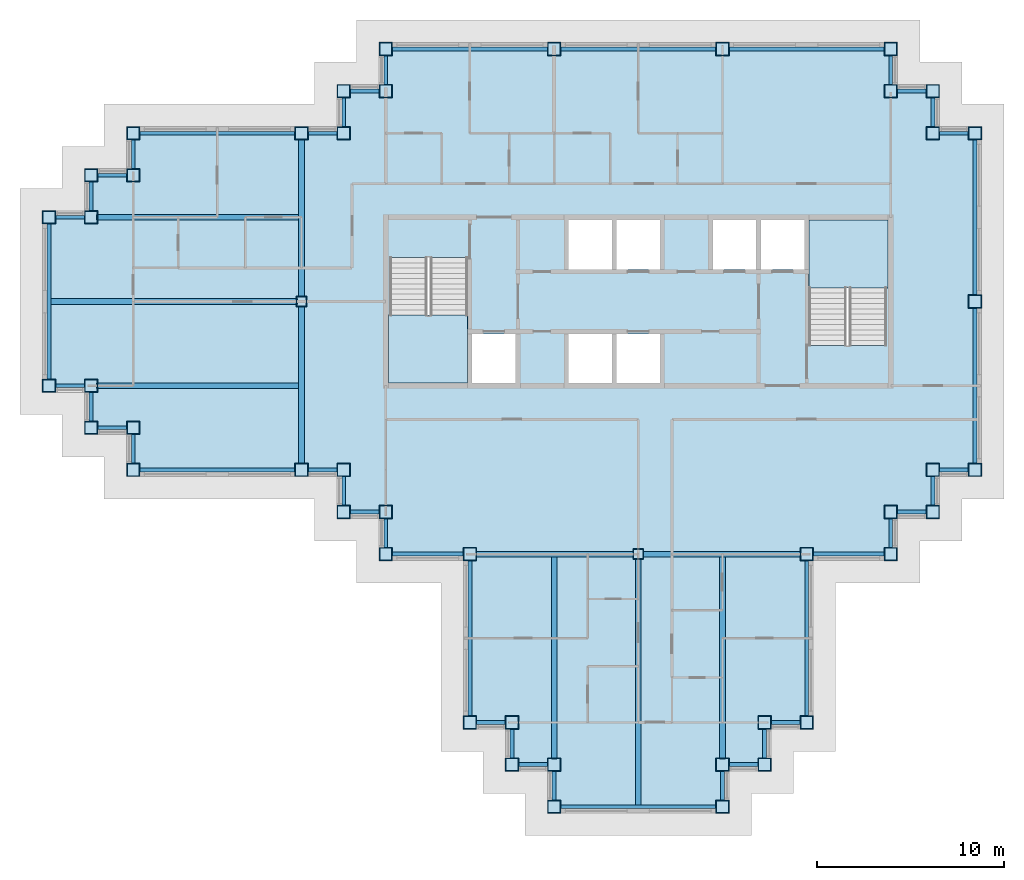
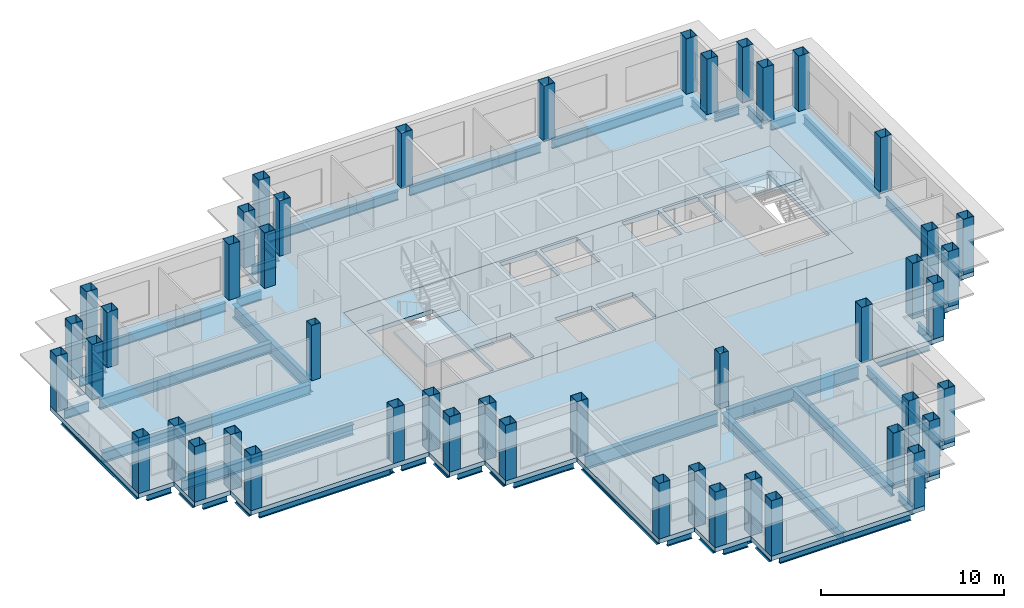
# One storey, part 1 of 11: 55 beams, 47 columns, 4 slabs, 2 elements without a shape of their own.
"""IFC4 building model written with IfcOpenShell, lengths in metres."""

from ifc_helpers import new_model, si_unit, direction, frame, origin, origin_2d, place, context, subcontext, project, spatial, polyline, hollow_rectangle, i_section, outline, extrude, material, layer, layer_set, material_profile, profile_set, type_object, element, aggregate, save


model = new_model("IFC4")

# Units and contexts
model_context = context("Model", 3, precision=1e-05, world=origin(), true_north=direction((0.0, 1.0)))
body_context = subcontext(model_context, "Body", "Model", "MODEL_VIEW")
ifc_project = project(units=[si_unit("LENGTHUNIT", "METRE"), si_unit("AREAUNIT", "SQUARE_METRE"), si_unit("VOLUMEUNIT", "CUBIC_METRE"), si_unit("PLANEANGLEUNIT", "RADIAN"), si_unit("MASSUNIT", "GRAM", prefix="KILO")], contexts=[model_context])

# Site, building, storey
site_placement = place(None, origin())
site = spatial("IfcSite", under=ifc_project, at=site_placement, CompositionType="ELEMENT")
building_placement = place(site_placement, origin())
building = spatial("IfcBuilding", under=site, at=building_placement, Name="Caravel Reach Hotel and Residences", CompositionType="ELEMENT")
storey_placement = place(building_placement, frame((0.0, 0.0, 210.89990234375)))
storey = spatial("IfcBuildingStorey", under=building, at=storey_placement, Name="L53", CompositionType="ELEMENT", Elevation=210.89990234375)

# Columns
ifc_material_1 = material(Name="Concrete-filled steel tube Q390B with Concrete C60 infill", Category="concrete")
ifc_material_profile_1 = material_profile(ifc_material_1, hollow_rectangle(XDim=0.550048828125, YDim=0.550048828125, WallThickness=0.01806640625, at=origin_2d()), Name="RHS 550x550x18")
ifc_profile_set_1 = profile_set([ifc_material_profile_1], Name="Concrete-filled steel tube Q390B with Concrete C60 infill")
column_type_1 = type_object("IfcColumnType", Name="CFT 550x550 Q390B C60", PredefinedType="COLUMN", material=ifc_profile_set_1)
for number, where, z_axis, x_axis, name in (
    (1, (31.5, 13.5, 0.0), (0.0, 0.0, 1.0), (1.0, 0.0, 0.0), "C18 column"),
    (2, (13.5, 27.0, 0.0), (0.0, 0.0, 1.0), (1.0, 0.0, 0.0), "C18 column"),
):
    element("IfcColumn", number, at=place(storey_placement, frame(where, z_axis=z_axis, x_axis=x_axis)), inside=storey, type_object=column_type_1, Name=name, PredefinedType="COLUMN", context=body_context, shape_type="SweptSolid", body=[
        extrude(hollow_rectangle(XDim=0.550048828125, YDim=0.550048828125, WallThickness=0.01806640625, at=origin_2d()), origin(), (0.0, 0.0, 1.0), 3.7001953125),
    ])
ifc_material_2 = material(Name="Concrete-filled steel tube Q390B with Concrete C60 infill", Category="concrete")
ifc_material_profile_2 = material_profile(ifc_material_2, hollow_rectangle(XDim=0.699951171875, YDim=0.699951171875, WallThickness=0.02197265625, at=origin_2d()), Name="RHS 700x700x22")
ifc_profile_set_2 = profile_set([ifc_material_profile_2], Name="Concrete-filled steel tube Q390B with Concrete C60 infill")
column_type_2 = type_object("IfcColumnType", Name="CFT 700x700 Q390B C60", PredefinedType="COLUMN", material=ifc_profile_set_2)
for number, where, z_axis, x_axis, name in (
    (3, (40.5, 13.5, 0.0), (0.0, 0.0, 1.0), (1.0, 0.0, 0.0), "C7 column"),
    (4, (45.0, 13.5, 0.0), (0.0, 0.0, 1.0), (1.0, 0.0, 0.0), "C7 column"),
    (5, (45.0, 15.75, 0.0), (0.0, 0.0, 1.0), (1.0, 0.0, 0.0), "C7 column"),
    (6, (47.25, 15.75, 0.0), (0.0, 0.0, 1.0), (1.0, 0.0, 0.0), "C7 column"),
    (7, (47.25, 18.0, 0.0), (0.0, 0.0, 1.0), (1.0, 0.0, 0.0), "C7 column"),
    (8, (49.5, 18.0, 0.0), (0.0, 0.0, 1.0), (1.0, 0.0, 0.0), "C7 column"),
    (9, (49.5, 27.0, 0.0), (0.0, 0.0, 1.0), (1.0, 0.0, 0.0), "C7 column"),
    (10, (49.5, 36.0, 0.0), (0.0, 0.0, 1.0), (1.0, 0.0, 0.0), "C7 column"),
    (11, (47.25, 36.0, 0.0), (0.0, 0.0, 1.0), (1.0, 0.0, 0.0), "C7 column"),
    (12, (47.25, 38.25, 0.0), (0.0, 0.0, 1.0), (1.0, 0.0, 0.0), "C7 column"),
    (13, (45.0, 38.25, 0.0), (0.0, 0.0, 1.0), (1.0, 0.0, 0.0), "C7 column"),
    (14, (45.0, 40.5, 0.0), (0.0, 0.0, 1.0), (1.0, 0.0, 0.0), "C7 column"),
    (15, (36.0, 40.5, 0.0), (0.0, 0.0, 1.0), (1.0, 0.0, 0.0), "C7 column"),
    (16, (27.0, 40.5, 0.0), (0.0, 0.0, 1.0), (1.0, 0.0, 0.0), "C7 column"),
    (17, (18.0, 40.5, 0.0), (0.0, 0.0, 1.0), (1.0, 0.0, 0.0), "C7 column"),
    (18, (18.0, 38.25, 0.0), (0.0, 0.0, 1.0), (1.0, 0.0, 0.0), "C7 column"),
    (19, (15.75, 38.25, 0.0), (0.0, 0.0, 1.0), (1.0, 0.0, 0.0), "C7 column"),
    (20, (15.75, 36.0, 0.0), (0.0, 0.0, 1.0), (1.0, 0.0, 0.0), "C7 column"),
    (21, (13.5, 36.0, 0.0), (0.0, 0.0, 1.0), (1.0, 0.0, 0.0), "C7 column"),
    (22, (4.5, 36.0, 0.0), (0.0, 0.0, 1.0), (1.0, 0.0, 0.0), "C7 column"),
    (23, (4.5, 33.75, 0.0), (0.0, 0.0, 1.0), (1.0, 0.0, 0.0), "C7 column"),
    (24, (2.25, 33.75, 0.0), (0.0, 0.0, 1.0), (1.0, 0.0, 0.0), "C7 column"),
    (25, (2.25, 31.5, 0.0), (0.0, 0.0, 1.0), (1.0, 0.0, 0.0), "C7 column"),
    (26, (0.0, 31.5, 0.0), (0.0, 0.0, 1.0), (1.0, 0.0, 0.0), "C7 column"),
    (27, (0.0, 22.5, 0.0), (0.0, 0.0, 1.0), (1.0, 0.0, 0.0), "C7 column"),
    (28, (2.25, 22.5, 0.0), (0.0, 0.0, 1.0), (1.0, 0.0, 0.0), "C7 column"),
    (29, (2.25, 20.25, 0.0), (0.0, 0.0, 1.0), (1.0, 0.0, 0.0), "C7 column"),
    (30, (4.5, 20.25, 0.0), (0.0, 0.0, 1.0), (1.0, 0.0, 0.0), "C7 column"),
    (31, (4.5, 18.0, 0.0), (0.0, 0.0, 1.0), (1.0, 0.0, 0.0), "C7 column"),
    (32, (13.5, 18.0, 0.0), (0.0, 0.0, 1.0), (1.0, 0.0, 0.0), "C7 column"),
    (33, (15.75, 18.0, 0.0), (0.0, 0.0, 1.0), (1.0, 0.0, 0.0), "C7 column"),
    (34, (15.75, 15.75, 0.0), (0.0, 0.0, 1.0), (1.0, 0.0, 0.0), "C7 column"),
    (35, (18.0, 15.75, 0.0), (0.0, 0.0, 1.0), (1.0, 0.0, 0.0), "C7 column"),
    (36, (18.0, 13.5, 0.0), (0.0, 0.0, 1.0), (1.0, 0.0, 0.0), "C7 column"),
    (37, (22.5, 13.5, 0.0), (0.0, 0.0, 1.0), (1.0, 0.0, 0.0), "C7 column"),
    (38, (22.5, 4.5, 0.0), (0.0, 0.0, 1.0), (1.0, 0.0, 0.0), "C7 column"),
    (39, (24.75, 4.5, 0.0), (0.0, 0.0, 1.0), (1.0, 0.0, 0.0), "C7 column"),
    (40, (24.75, 2.25, 0.0), (0.0, 0.0, 1.0), (1.0, 0.0, 0.0), "C7 column"),
    (41, (27.0, 2.25, 0.0), (0.0, 0.0, 1.0), (1.0, 0.0, 0.0), "C7 column"),
    (42, (27.0, 0.0, 0.0), (0.0, 0.0, 1.0), (1.0, 0.0, 0.0), "C7 column"),
    (43, (36.0, 0.0, 0.0), (0.0, 0.0, 1.0), (1.0, 0.0, 0.0), "C7 column"),
    (44, (36.0, 2.25, 0.0), (0.0, 0.0, 1.0), (1.0, 0.0, 0.0), "C7 column"),
    (45, (38.25, 2.25, 0.0), (0.0, 0.0, 1.0), (1.0, 0.0, 0.0), "C7 column"),
    (46, (38.25, 4.5, 0.0), (0.0, 0.0, 1.0), (1.0, 0.0, 0.0), "C7 column"),
    (47, (40.5, 4.5, 0.0), (0.0, 0.0, 1.0), (1.0, 0.0, 0.0), "C7 column"),
):
    element("IfcColumn", number, at=place(storey_placement, frame(where, z_axis=z_axis, x_axis=x_axis)), inside=storey, type_object=column_type_2, Name=name, PredefinedType="COLUMN", context=body_context, shape_type="SweptSolid", body=[
        extrude(hollow_rectangle(XDim=0.699951171875, YDim=0.699951171875, WallThickness=0.02197265625, at=origin_2d()), origin(), (0.0, 0.0, 1.0), 3.7001953125),
    ])

# Beams
ifc_material_3 = material(Name="Structural steel Q355B", Category="steel")
ifc_material_profile_3 = material_profile(ifc_material_3, i_section(OverallWidth=0.300048828125, OverallDepth=0.699951171875, WebThickness=0.012939453125, FlangeThickness=0.02392578125, FilletRadius=0.01806640625, at=origin_2d()), Name="HN 700x300x13x24")
ifc_profile_set_3 = profile_set([ifc_material_profile_3], Name="Structural steel Q355B")
beam_type_1 = type_object("IfcBeamType", Name="Beam HN 700x300x13x24", PredefinedType="BEAM", material=ifc_profile_set_3)
beam_1_placement = place(storey_placement, frame((27.0, 13.39990234375, -0.64990234375), z_axis=(0.0, -1.0, 0.0), x_axis=(1.0, 0.0, 0.0)))
element("IfcBeam", 48, at=beam_1_placement, inside=storey, type_object=beam_type_1, Name="B2 HN 700x300x13x24", PredefinedType="BEAM", context=body_context, shape_type="SweptSolid", body=[
    extrude(i_section(OverallWidth=0.300048828125, OverallDepth=0.699951171875, WebThickness=0.012939453125, FlangeThickness=0.02392578125, FilletRadius=0.01806640625, at=origin_2d()), origin(), (0.0, 0.0, 1.0), 10.849853515625),
])
beam_2_placement = place(storey_placement, frame((31.5, 13.27490234375, -0.64990234375), z_axis=(0.0, -1.0, 0.0), x_axis=(1.0, 0.0, 0.0)))
element("IfcBeam", 49, at=beam_2_placement, inside=storey, type_object=beam_type_1, Name="B2 HN 700x300x13x24", PredefinedType="BEAM", context=body_context, shape_type="SweptSolid", body=[
    extrude(i_section(OverallWidth=0.300048828125, OverallDepth=0.699951171875, WebThickness=0.012939453125, FlangeThickness=0.02392578125, FilletRadius=0.01806640625, at=origin_2d()), origin(), (0.0, 0.0, 1.0), 13.1748046875),
])
for number, where, z_axis, x_axis, name in (
    (50, (36.0, 13.39990234375, -0.64990234375), (0.0, -1.0, 0.0), (1.0, 0.0, 0.0), "B2 HN 700x300x13x24"),
    (51, (13.39990234375, 22.5, -0.64990234375), (-1.0, 0.0, 0.0), (0.0, -1.0, 0.0), "B2 HN 700x300x13x24"),
):
    element("IfcBeam", number, at=place(storey_placement, frame(where, z_axis=z_axis, x_axis=x_axis)), inside=storey, type_object=beam_type_1, Name=name, PredefinedType="BEAM", context=body_context, shape_type="SweptSolid", body=[
        extrude(i_section(OverallWidth=0.300048828125, OverallDepth=0.699951171875, WebThickness=0.012939453125, FlangeThickness=0.02392578125, FilletRadius=0.01806640625, at=origin_2d()), origin(), (0.0, 0.0, 1.0), 10.849853515625),
    ])
beam_3_placement = place(storey_placement, frame((13.27490234375, 27.0, -0.64990234375), z_axis=(-1.0, 0.0, 0.0), x_axis=(0.0, -1.0, 0.0)))
element("IfcBeam", 52, at=beam_3_placement, inside=storey, type_object=beam_type_1, Name="B2 HN 700x300x13x24", PredefinedType="BEAM", context=body_context, shape_type="SweptSolid", body=[
    extrude(i_section(OverallWidth=0.300048828125, OverallDepth=0.699951171875, WebThickness=0.012939453125, FlangeThickness=0.02392578125, FilletRadius=0.01806640625, at=origin_2d()), origin(), (0.0, 0.0, 1.0), 13.1748046875),
])
beam_4_placement = place(storey_placement, frame((13.39990234375, 31.5, -0.64990234375), z_axis=(-1.0, 0.0, 0.0), x_axis=(0.0, -1.0, 0.0)))
element("IfcBeam", 53, at=beam_4_placement, inside=storey, type_object=beam_type_1, Name="B2 HN 700x300x13x24", PredefinedType="BEAM", context=body_context, shape_type="SweptSolid", body=[
    extrude(i_section(OverallWidth=0.300048828125, OverallDepth=0.699951171875, WebThickness=0.012939453125, FlangeThickness=0.02392578125, FilletRadius=0.01806640625, at=origin_2d()), origin(), (0.0, 0.0, 1.0), 10.849853515625),
])
ifc_material_4 = material(Name="Structural steel Q355B", Category="steel")
ifc_material_profile_4 = material_profile(ifc_material_4, i_section(OverallWidth=0.300048828125, OverallDepth=0.89990234375, WebThickness=0.01611328125, FlangeThickness=0.028076171875, FilletRadius=0.01806640625, at=origin_2d()), Name="HN 900x300x16x28")
ifc_profile_set_4 = profile_set([ifc_material_profile_4], Name="Structural steel Q355B")
beam_type_2 = type_object("IfcBeamType", Name="Beam HN 900x300x16x28", PredefinedType="BEAM", material=ifc_profile_set_4)
for number, where, z_axis, x_axis, name in (
    (54, (22.85009765625, 13.5, -0.75), (1.0, 0.0, 0.0), (0.0, 1.0, 0.0), "B3 HN 900x300x16x28"),
    (55, (31.77490234375, 13.5, -0.75), (1.0, 0.0, 0.0), (0.0, 1.0, 0.0), "B3 HN 900x300x16x28"),
    (56, (13.5, 18.35009765625, -0.75), (0.0, 1.0, 0.0), (-1.0, 0.0, 0.0), "B3 HN 900x300x16x28"),
    (57, (13.5, 27.27490234375, -0.75), (0.0, 1.0, 0.0), (-1.0, 0.0, 0.0), "B3 HN 900x300x16x28"),
):
    element("IfcBeam", number, at=place(storey_placement, frame(where, z_axis=z_axis, x_axis=x_axis)), inside=storey, type_object=beam_type_2, Name=name, PredefinedType="BEAM", context=body_context, shape_type="SweptSolid", body=[
        extrude(i_section(OverallWidth=0.300048828125, OverallDepth=0.89990234375, WebThickness=0.01611328125, FlangeThickness=0.028076171875, FilletRadius=0.01806640625, at=origin_2d()), origin(), (0.0, 0.0, 1.0), 8.375),
    ])
ifc_material_5 = material(Name="Structural steel Q355B", Category="steel")
ifc_material_profile_5 = material_profile(ifc_material_5, i_section(OverallWidth=0.199951171875, OverallDepth=0.60009765625, WebThickness=0.010986328125, FlangeThickness=0.01708984375, FilletRadius=0.012939453125, at=origin_2d()), Name="HN 600x200x11x17")
ifc_profile_set_5 = profile_set([ifc_material_profile_5], Name="Structural steel Q355B")
beam_type_3 = type_object("IfcBeamType", Name="Spandrel beam HN 600x200x11x17", PredefinedType="SPANDREL", material=ifc_profile_set_5)
beam_5_placement = place(storey_placement, frame((40.85009765625, 13.5, -0.599853515625), z_axis=(1.0, 0.0, 0.0), x_axis=(0.0, 1.0, 0.0)))
element("IfcBeam", 58, at=beam_5_placement, inside=storey, type_object=beam_type_3, Name="SP1 HN 600x200x11x17", PredefinedType="SPANDREL", context=body_context, shape_type="SweptSolid", body=[
    extrude(i_section(OverallWidth=0.199951171875, OverallDepth=0.60009765625, WebThickness=0.010986328125, FlangeThickness=0.01708984375, FilletRadius=0.012939453125, at=origin_2d()), origin(), (0.0, 0.0, 1.0), 3.7998046875),
])
for number, where, z_axis, x_axis, name in (
    (59, (45.0, 13.85009765625, -0.599853515625), (0.0, 1.0, 0.0), (-1.0, 0.0, 0.0), "SP1 HN 600x200x11x17"),
    (60, (45.35009765625, 15.75, -0.599853515625), (1.0, 0.0, 0.0), (0.0, 1.0, 0.0), "SP1 HN 600x200x11x17"),
    (61, (47.25, 16.10009765625, -0.599853515625), (0.0, 1.0, 0.0), (-1.0, 0.0, 0.0), "SP1 HN 600x200x11x17"),
    (62, (47.60009765625, 18.0, -0.599853515625), (1.0, 0.0, 0.0), (0.0, 1.0, 0.0), "SP1 HN 600x200x11x17"),
):
    element("IfcBeam", number, at=place(storey_placement, frame(where, z_axis=z_axis, x_axis=x_axis)), inside=storey, type_object=beam_type_3, Name=name, PredefinedType="SPANDREL", context=body_context, shape_type="SweptSolid", body=[
        extrude(i_section(OverallWidth=0.199951171875, OverallDepth=0.60009765625, WebThickness=0.010986328125, FlangeThickness=0.01708984375, FilletRadius=0.012939453125, at=origin_2d()), origin(), (0.0, 0.0, 1.0), 1.5498046875),
    ])
for number, where, z_axis, x_axis, name in (
    (63, (49.5, 18.35009765625, -0.599853515625), (0.0, 1.0, 0.0), (-1.0, 0.0, 0.0), "SP1 HN 600x200x11x17"),
    (64, (49.5, 27.35009765625, -0.599853515625), (0.0, 1.0, 0.0), (-1.0, 0.0, 0.0), "SP1 HN 600x200x11x17"),
):
    element("IfcBeam", number, at=place(storey_placement, frame(where, z_axis=z_axis, x_axis=x_axis)), inside=storey, type_object=beam_type_3, Name=name, PredefinedType="SPANDREL", context=body_context, shape_type="SweptSolid", body=[
        extrude(i_section(OverallWidth=0.199951171875, OverallDepth=0.60009765625, WebThickness=0.010986328125, FlangeThickness=0.01708984375, FilletRadius=0.012939453125, at=origin_2d()), origin(), (0.0, 0.0, 1.0), 8.2998046875),
    ])
for number, where, z_axis, x_axis, name in (
    (65, (49.14990234375, 36.0, -0.599853515625), (-1.0, 0.0, 0.0), (0.0, -1.0, 0.0), "SP1 HN 600x200x11x17"),
    (66, (47.25, 36.35009765625, -0.599853515625), (0.0, 1.0, 0.0), (-1.0, 0.0, 0.0), "SP1 HN 600x200x11x17"),
    (67, (46.89990234375, 38.25, -0.599853515625), (-1.0, 0.0, 0.0), (0.0, -1.0, 0.0), "SP1 HN 600x200x11x17"),
    (68, (45.0, 38.60009765625, -0.599853515625), (0.0, 1.0, 0.0), (-1.0, 0.0, 0.0), "SP1 HN 600x200x11x17"),
):
    element("IfcBeam", number, at=place(storey_placement, frame(where, z_axis=z_axis, x_axis=x_axis)), inside=storey, type_object=beam_type_3, Name=name, PredefinedType="SPANDREL", context=body_context, shape_type="SweptSolid", body=[
        extrude(i_section(OverallWidth=0.199951171875, OverallDepth=0.60009765625, WebThickness=0.010986328125, FlangeThickness=0.01708984375, FilletRadius=0.012939453125, at=origin_2d()), origin(), (0.0, 0.0, 1.0), 1.5498046875),
    ])
for number, where, z_axis, x_axis, name in (
    (69, (44.64990234375, 40.5, -0.599853515625), (-1.0, 0.0, 0.0), (0.0, -1.0, 0.0), "SP1 HN 600x200x11x17"),
    (70, (35.64990234375, 40.5, -0.599853515625), (-1.0, 0.0, 0.0), (0.0, -1.0, 0.0), "SP1 HN 600x200x11x17"),
    (71, (26.64990234375, 40.5, -0.599853515625), (-1.0, 0.0, 0.0), (0.0, -1.0, 0.0), "SP1 HN 600x200x11x17"),
):
    element("IfcBeam", number, at=place(storey_placement, frame(where, z_axis=z_axis, x_axis=x_axis)), inside=storey, type_object=beam_type_3, Name=name, PredefinedType="SPANDREL", context=body_context, shape_type="SweptSolid", body=[
        extrude(i_section(OverallWidth=0.199951171875, OverallDepth=0.60009765625, WebThickness=0.010986328125, FlangeThickness=0.01708984375, FilletRadius=0.012939453125, at=origin_2d()), origin(), (0.0, 0.0, 1.0), 8.2998046875),
    ])
for number, where, z_axis, x_axis, name in (
    (72, (18.0, 40.14990234375, -0.599853515625), (0.0, -1.0, 0.0), (1.0, 0.0, 0.0), "SP1 HN 600x200x11x17"),
    (73, (17.64990234375, 38.25, -0.599853515625), (-1.0, 0.0, 0.0), (0.0, -1.0, 0.0), "SP1 HN 600x200x11x17"),
    (74, (15.75, 37.89990234375, -0.599853515625), (0.0, -1.0, 0.0), (1.0, 0.0, 0.0), "SP1 HN 600x200x11x17"),
    (75, (15.39990234375, 36.0, -0.599853515625), (-1.0, 0.0, 0.0), (0.0, -1.0, 0.0), "SP1 HN 600x200x11x17"),
):
    element("IfcBeam", number, at=place(storey_placement, frame(where, z_axis=z_axis, x_axis=x_axis)), inside=storey, type_object=beam_type_3, Name=name, PredefinedType="SPANDREL", context=body_context, shape_type="SweptSolid", body=[
        extrude(i_section(OverallWidth=0.199951171875, OverallDepth=0.60009765625, WebThickness=0.010986328125, FlangeThickness=0.01708984375, FilletRadius=0.012939453125, at=origin_2d()), origin(), (0.0, 0.0, 1.0), 1.5498046875),
    ])
beam_6_placement = place(storey_placement, frame((13.14990234375, 36.0, -0.599853515625), z_axis=(-1.0, 0.0, 0.0), x_axis=(0.0, -1.0, 0.0)))
element("IfcBeam", 76, at=beam_6_placement, inside=storey, type_object=beam_type_3, Name="SP1 HN 600x200x11x17", PredefinedType="SPANDREL", context=body_context, shape_type="SweptSolid", body=[
    extrude(i_section(OverallWidth=0.199951171875, OverallDepth=0.60009765625, WebThickness=0.010986328125, FlangeThickness=0.01708984375, FilletRadius=0.012939453125, at=origin_2d()), origin(), (0.0, 0.0, 1.0), 8.2998046875),
])
for number, where, z_axis, x_axis, name in (
    (77, (4.5, 35.64990234375, -0.599853515625), (0.0, -1.0, 0.0), (1.0, 0.0, 0.0), "SP1 HN 600x200x11x17"),
    (78, (4.14990234375, 33.75, -0.599853515625), (-1.0, 0.0, 0.0), (0.0, -1.0, 0.0), "SP1 HN 600x200x11x17"),
    (79, (2.25, 33.39990234375, -0.599853515625), (0.0, -1.0, 0.0), (1.0, 0.0, 0.0), "SP1 HN 600x200x11x17"),
    (80, (1.89990234375, 31.5, -0.599853515625), (-1.0, 0.0, 0.0), (0.0, -1.0, 0.0), "SP1 HN 600x200x11x17"),
):
    element("IfcBeam", number, at=place(storey_placement, frame(where, z_axis=z_axis, x_axis=x_axis)), inside=storey, type_object=beam_type_3, Name=name, PredefinedType="SPANDREL", context=body_context, shape_type="SweptSolid", body=[
        extrude(i_section(OverallWidth=0.199951171875, OverallDepth=0.60009765625, WebThickness=0.010986328125, FlangeThickness=0.01708984375, FilletRadius=0.012939453125, at=origin_2d()), origin(), (0.0, 0.0, 1.0), 1.5498046875),
    ])
beam_7_placement = place(storey_placement, frame((0.0, 31.14990234375, -0.599853515625), z_axis=(0.0, -1.0, 0.0), x_axis=(1.0, 0.0, 0.0)))
element("IfcBeam", 81, at=beam_7_placement, inside=storey, type_object=beam_type_3, Name="SP1 HN 600x200x11x17", PredefinedType="SPANDREL", context=body_context, shape_type="SweptSolid", body=[
    extrude(i_section(OverallWidth=0.199951171875, OverallDepth=0.60009765625, WebThickness=0.010986328125, FlangeThickness=0.01708984375, FilletRadius=0.012939453125, at=origin_2d()), origin(), (0.0, 0.0, 1.0), 8.2998046875),
])
for number, where, z_axis, x_axis, name in (
    (82, (0.35009765625, 22.5, -0.599853515625), (1.0, 0.0, 0.0), (0.0, 1.0, 0.0), "SP1 HN 600x200x11x17"),
    (83, (2.25, 22.14990234375, -0.599853515625), (0.0, -1.0, 0.0), (1.0, 0.0, 0.0), "SP1 HN 600x200x11x17"),
    (84, (2.60009765625, 20.25, -0.599853515625), (1.0, 0.0, 0.0), (0.0, 1.0, 0.0), "SP1 HN 600x200x11x17"),
    (85, (4.5, 19.89990234375, -0.599853515625), (0.0, -1.0, 0.0), (1.0, 0.0, 0.0), "SP1 HN 600x200x11x17"),
):
    element("IfcBeam", number, at=place(storey_placement, frame(where, z_axis=z_axis, x_axis=x_axis)), inside=storey, type_object=beam_type_3, Name=name, PredefinedType="SPANDREL", context=body_context, shape_type="SweptSolid", body=[
        extrude(i_section(OverallWidth=0.199951171875, OverallDepth=0.60009765625, WebThickness=0.010986328125, FlangeThickness=0.01708984375, FilletRadius=0.012939453125, at=origin_2d()), origin(), (0.0, 0.0, 1.0), 1.5498046875),
    ])
beam_8_placement = place(storey_placement, frame((4.85009765625, 18.0, -0.599853515625), z_axis=(1.0, 0.0, 0.0), x_axis=(0.0, 1.0, 0.0)))
element("IfcBeam", 86, at=beam_8_placement, inside=storey, type_object=beam_type_3, Name="SP1 HN 600x200x11x17", PredefinedType="SPANDREL", context=body_context, shape_type="SweptSolid", body=[
    extrude(i_section(OverallWidth=0.199951171875, OverallDepth=0.60009765625, WebThickness=0.010986328125, FlangeThickness=0.01708984375, FilletRadius=0.012939453125, at=origin_2d()), origin(), (0.0, 0.0, 1.0), 8.2998046875),
])
for number, where, z_axis, x_axis, name in (
    (87, (13.85009765625, 18.0, -0.599853515625), (1.0, 0.0, 0.0), (0.0, 1.0, 0.0), "SP1 HN 600x200x11x17"),
    (88, (15.75, 17.64990234375, -0.599853515625), (0.0, -1.0, 0.0), (1.0, 0.0, 0.0), "SP1 HN 600x200x11x17"),
    (89, (16.10009765625, 15.75, -0.599853515625), (1.0, 0.0, 0.0), (0.0, 1.0, 0.0), "SP1 HN 600x200x11x17"),
    (90, (18.0, 15.39990234375, -0.599853515625), (0.0, -1.0, 0.0), (1.0, 0.0, 0.0), "SP1 HN 600x200x11x17"),
):
    element("IfcBeam", number, at=place(storey_placement, frame(where, z_axis=z_axis, x_axis=x_axis)), inside=storey, type_object=beam_type_3, Name=name, PredefinedType="SPANDREL", context=body_context, shape_type="SweptSolid", body=[
        extrude(i_section(OverallWidth=0.199951171875, OverallDepth=0.60009765625, WebThickness=0.010986328125, FlangeThickness=0.01708984375, FilletRadius=0.012939453125, at=origin_2d()), origin(), (0.0, 0.0, 1.0), 1.5498046875),
    ])
beam_9_placement = place(storey_placement, frame((18.35009765625, 13.5, -0.599853515625), z_axis=(1.0, 0.0, 0.0), x_axis=(0.0, 1.0, 0.0)))
element("IfcBeam", 91, at=beam_9_placement, inside=storey, type_object=beam_type_3, Name="SP1 HN 600x200x11x17", PredefinedType="SPANDREL", context=body_context, shape_type="SweptSolid", body=[
    extrude(i_section(OverallWidth=0.199951171875, OverallDepth=0.60009765625, WebThickness=0.010986328125, FlangeThickness=0.01708984375, FilletRadius=0.012939453125, at=origin_2d()), origin(), (0.0, 0.0, 1.0), 3.7998046875),
])
beam_10_placement = place(storey_placement, frame((22.5, 13.14990234375, -0.599853515625), z_axis=(0.0, -1.0, 0.0), x_axis=(1.0, 0.0, 0.0)))
element("IfcBeam", 92, at=beam_10_placement, inside=storey, type_object=beam_type_3, Name="SP1 HN 600x200x11x17", PredefinedType="SPANDREL", context=body_context, shape_type="SweptSolid", body=[
    extrude(i_section(OverallWidth=0.199951171875, OverallDepth=0.60009765625, WebThickness=0.010986328125, FlangeThickness=0.01708984375, FilletRadius=0.012939453125, at=origin_2d()), origin(), (0.0, 0.0, 1.0), 8.2998046875),
])
for number, where, z_axis, x_axis, name in (
    (93, (22.85009765625, 4.5, -0.599853515625), (1.0, 0.0, 0.0), (0.0, 1.0, 0.0), "SP1 HN 600x200x11x17"),
    (94, (24.75, 4.14990234375, -0.599853515625), (0.0, -1.0, 0.0), (1.0, 0.0, 0.0), "SP1 HN 600x200x11x17"),
    (95, (25.10009765625, 2.25, -0.599853515625), (1.0, 0.0, 0.0), (0.0, 1.0, 0.0), "SP1 HN 600x200x11x17"),
    (96, (27.0, 1.89990234375, -0.599853515625), (0.0, -1.0, 0.0), (1.0, 0.0, 0.0), "SP1 HN 600x200x11x17"),
):
    element("IfcBeam", number, at=place(storey_placement, frame(where, z_axis=z_axis, x_axis=x_axis)), inside=storey, type_object=beam_type_3, Name=name, PredefinedType="SPANDREL", context=body_context, shape_type="SweptSolid", body=[
        extrude(i_section(OverallWidth=0.199951171875, OverallDepth=0.60009765625, WebThickness=0.010986328125, FlangeThickness=0.01708984375, FilletRadius=0.012939453125, at=origin_2d()), origin(), (0.0, 0.0, 1.0), 1.5498046875),
    ])
beam_11_placement = place(storey_placement, frame((27.35009765625, 0.0, -0.599853515625), z_axis=(1.0, 0.0, 0.0), x_axis=(0.0, 1.0, 0.0)))
element("IfcBeam", 97, at=beam_11_placement, inside=storey, type_object=beam_type_3, Name="SP1 HN 600x200x11x17", PredefinedType="SPANDREL", context=body_context, shape_type="SweptSolid", body=[
    extrude(i_section(OverallWidth=0.199951171875, OverallDepth=0.60009765625, WebThickness=0.010986328125, FlangeThickness=0.01708984375, FilletRadius=0.012939453125, at=origin_2d()), origin(), (0.0, 0.0, 1.0), 8.2998046875),
])
for number, where, z_axis, x_axis, name in (
    (98, (36.0, 0.35009765625, -0.599853515625), (0.0, 1.0, 0.0), (-1.0, 0.0, 0.0), "SP1 HN 600x200x11x17"),
    (99, (36.35009765625, 2.25, -0.599853515625), (1.0, 0.0, 0.0), (0.0, 1.0, 0.0), "SP1 HN 600x200x11x17"),
    (100, (38.25, 2.60009765625, -0.599853515625), (0.0, 1.0, 0.0), (-1.0, 0.0, 0.0), "SP1 HN 600x200x11x17"),
    (101, (38.60009765625, 4.5, -0.599853515625), (1.0, 0.0, 0.0), (0.0, 1.0, 0.0), "SP1 HN 600x200x11x17"),
):
    element("IfcBeam", number, at=place(storey_placement, frame(where, z_axis=z_axis, x_axis=x_axis)), inside=storey, type_object=beam_type_3, Name=name, PredefinedType="SPANDREL", context=body_context, shape_type="SweptSolid", body=[
        extrude(i_section(OverallWidth=0.199951171875, OverallDepth=0.60009765625, WebThickness=0.010986328125, FlangeThickness=0.01708984375, FilletRadius=0.012939453125, at=origin_2d()), origin(), (0.0, 0.0, 1.0), 1.5498046875),
    ])
beam_12_placement = place(storey_placement, frame((40.5, 4.85009765625, -0.599853515625), z_axis=(0.0, 1.0, 0.0), x_axis=(-1.0, 0.0, 0.0)))
element("IfcBeam", 102, at=beam_12_placement, inside=storey, type_object=beam_type_3, Name="SP1 HN 600x200x11x17", PredefinedType="SPANDREL", context=body_context, shape_type="SweptSolid", body=[
    extrude(i_section(OverallWidth=0.199951171875, OverallDepth=0.60009765625, WebThickness=0.010986328125, FlangeThickness=0.01708984375, FilletRadius=0.012939453125, at=origin_2d()), origin(), (0.0, 0.0, 1.0), 8.2998046875),
])

# Slab
ifc_material_6 = material(Name="Concrete C40", Category="concrete")
ifc_layer_1 = layer(ifc_material_6, 0.300048828125)
ifc_layer_set_1 = layer_set([ifc_layer_1], Name="Core floor slab 300 mm")
slab_type_1 = type_object("IfcSlabType", Name="Core floor slab 300 mm", PredefinedType="FLOOR", material=ifc_layer_set_1)
slab_1_placement = place(storey_placement, frame((0.0, 0.0, -0.2998046875)))
element("IfcSlab", 103, at=slab_1_placement, inside=storey, type_object=slab_type_1, Name="L53 core floor", PredefinedType="FLOOR", context=body_context, shape_type="SweptSolid", body=[
    extrude(outline(polyline([(18.0, 31.5), (45.0, 31.5), (45.0, 22.5), (18.0, 22.5), (18.0, 31.5)]), holes=[polyline([(22.625, 25.27490234375), (22.625, 22.64990234375), (24.9462890625, 22.64990234375), (24.9462890625, 25.27490234375), (22.625, 25.27490234375)]), polyline([(27.767822265625, 25.27490234375), (27.767822265625, 22.64990234375), (30.08935546875, 22.64990234375), (30.08935546875, 25.27490234375), (27.767822265625, 25.27490234375)]), polyline([(30.33935546875, 25.27490234375), (30.33935546875, 22.64990234375), (32.66064453125, 22.64990234375), (32.66064453125, 25.27490234375), (30.33935546875, 25.27490234375)]), polyline([(22.375, 22.64990234375), (22.375, 29.35009765625), (18.22509765625, 29.35009765625), (18.22509765625, 22.64990234375), (22.375, 22.64990234375)]), polyline([(40.625, 31.35009765625), (40.625, 24.64990234375), (44.77490234375, 24.64990234375), (44.77490234375, 31.35009765625), (40.625, 31.35009765625)]), polyline([(27.767822265625, 31.35009765625), (27.767822265625, 28.72509765625), (30.08935546875, 28.72509765625), (30.08935546875, 31.35009765625), (27.767822265625, 31.35009765625)]), polyline([(30.33935546875, 31.35009765625), (30.33935546875, 28.72509765625), (32.66064453125, 28.72509765625), (32.66064453125, 31.35009765625), (30.33935546875, 31.35009765625)]), polyline([(37.8037109375, 31.35009765625), (35.482177734375, 31.35009765625), (35.482177734375, 28.72509765625), (37.8037109375, 28.72509765625), (37.8037109375, 31.35009765625)]), polyline([(40.375, 31.35009765625), (38.0537109375, 31.35009765625), (38.0537109375, 28.72509765625), (40.375, 28.72509765625), (40.375, 31.35009765625)])]), origin(), (0.0, 0.0, 1.0), 0.2998046875),
])

# Stair, slab
ifc_material_7 = material(Name="Concrete C40", Category="concrete")
stair_type = type_object("IfcStairType", Name="Core stair", PredefinedType="HALF_TURN_STAIR", material=ifc_material_7)
stair_1_placement = place(storey_placement, origin())
stair_1 = element("IfcStair", 104, at=stair_1_placement, inside=storey, type_object=stair_type, Name="L53 Exit stair A", PredefinedType="HALF_TURN_STAIR")
ifc_material_8 = material(Name="Concrete C40", Category="concrete")
ifc_layer_2 = layer(ifc_material_8, 0.199951171875)
ifc_layer_set_2 = layer_set([ifc_layer_2], Name="Core stair landing")
slab_type_2 = type_object("IfcSlabType", Name="Core stair landing", PredefinedType="LANDING", material=ifc_layer_set_2)
slab_2_placement = place(storey_placement, frame((0.0, 0.0, 1.650146484375)))
slab_2 = element("IfcSlab", 105, at=slab_2_placement, type_object=slab_type_2, Name="ST-A landing 1", PredefinedType="LANDING", context=body_context, shape_type="SweptSolid", body=[
    extrude(outline(polyline([(18.14990234375, 26.27001953125), (18.14990234375, 22.64990234375), (22.375, 22.64990234375), (22.375, 26.27001953125), (18.14990234375, 26.27001953125)])), origin(), (0.0, 0.0, 1.0), 0.199951171875),
])
aggregate(stair_1, [slab_2])

stair_2_placement = place(storey_placement, origin())
stair_2 = element("IfcStair", 106, at=stair_2_placement, inside=storey, type_object=stair_type, Name="L53 Exit stair B", PredefinedType="HALF_TURN_STAIR")
slab_3_placement = place(storey_placement, frame((0.0, 0.0, 1.650146484375)))
slab_3 = element("IfcSlab", 107, at=slab_3_placement, type_object=slab_type_2, Name="ST-B landing 1", PredefinedType="LANDING", context=body_context, shape_type="SweptSolid", body=[
    extrude(outline(polyline([(44.85009765625, 27.72998046875), (44.85009765625, 31.35009765625), (40.625, 31.35009765625), (40.625, 27.72998046875), (44.85009765625, 27.72998046875)])), origin(), (0.0, 0.0, 1.0), 0.199951171875),
])
aggregate(stair_2, [slab_3])

# Slab
ifc_material_9 = material(Name="Concrete C40 post-tensioned", Category="concrete")
ifc_layer_3 = layer(ifc_material_9, 0.300048828125)
ifc_layer_set_3 = layer_set([ifc_layer_3], Name="Floor slab 300")
slab_type_3 = type_object("IfcSlabType", Name="Floor slab 300", PredefinedType="FLOOR", material=ifc_layer_set_3)
slab_4_placement = place(storey_placement, frame((0.0, 0.0, -0.2998046875)))
element("IfcSlab", 108, at=slab_4_placement, inside=storey, type_object=slab_type_3, Name="S2 slab L53", PredefinedType="FLOOR", context=body_context, shape_type="SweptSolid", body=[
    extrude(outline(polyline([(38.60009765625, 4.14990234375), (38.60009765625, 1.89990234375), (36.35009765625, 1.89990234375), (36.35009765625, -0.35009765625), (26.64990234375, -0.35009765625), (26.64990234375, 1.89990234375), (24.39990234375, 1.89990234375), (24.39990234375, 4.14990234375), (22.14990234375, 4.14990234375), (22.14990234375, 13.14990234375), (17.64990234375, 13.14990234375), (17.64990234375, 15.39990234375), (15.39990234375, 15.39990234375), (15.39990234375, 17.64990234375), (4.14990234375, 17.64990234375), (4.14990234375, 19.89990234375), (1.89990234375, 19.89990234375), (1.89990234375, 22.14990234375), (-0.35009765625, 22.14990234375), (-0.35009765625, 31.85009765625), (1.89990234375, 31.85009765625), (1.89990234375, 34.10009765625), (4.14990234375, 34.10009765625), (4.14990234375, 36.35009765625), (15.39990234375, 36.35009765625), (15.39990234375, 38.60009765625), (17.64990234375, 38.60009765625), (17.64990234375, 40.85009765625), (45.35009765625, 40.85009765625), (45.35009765625, 38.60009765625), (47.60009765625, 38.60009765625), (47.60009765625, 36.35009765625), (49.85009765625, 36.35009765625), (49.85009765625, 17.64990234375), (47.60009765625, 17.64990234375), (47.60009765625, 15.39990234375), (45.35009765625, 15.39990234375), (45.35009765625, 13.14990234375), (40.85009765625, 13.14990234375), (40.85009765625, 4.14990234375), (38.60009765625, 4.14990234375)]), holes=[polyline([(45.0, 31.5), (18.0, 31.5), (18.0, 22.5), (45.0, 22.5), (45.0, 31.5)])]), origin(), (0.0, 0.0, 1.0), 0.2998046875),
])

save(model, "model.ifc")
